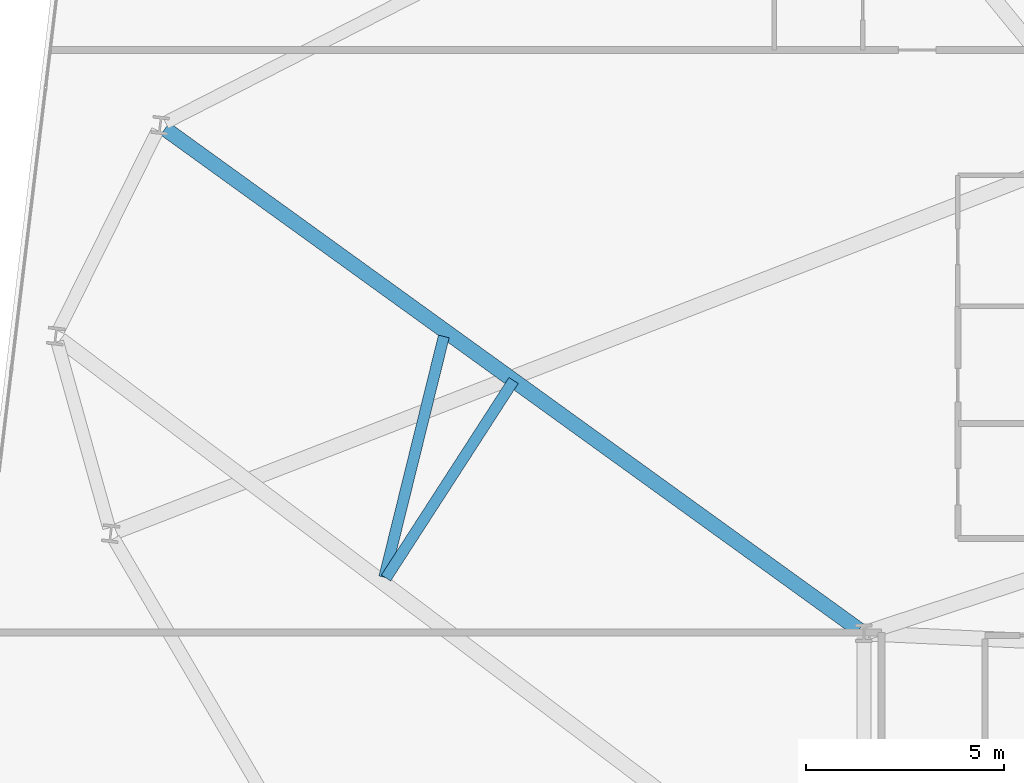
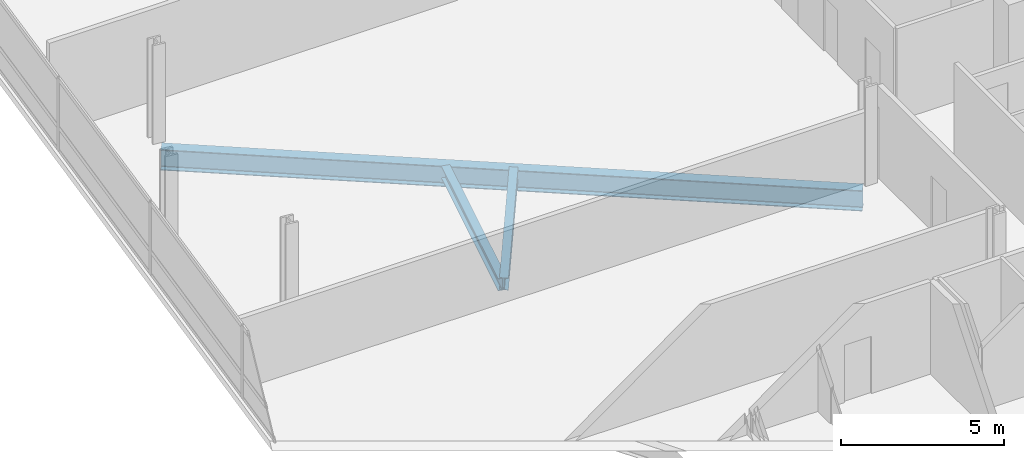
# One storey, part 9 of 26: 3 beams.
"""IFC4 building model written with IfcOpenShell, lengths in metres."""

from ifc_helpers import new_model, si_unit, direction, frame, origin, origin_2d, place, context, subcontext, project, spatial, i_section, extrude, material, material_profile, profile_set, type_object, element, save


model = new_model("IFC4")

# Units and contexts
model_context = context("Model", 3, precision=1e-05, world=origin(), true_north=direction((0.0, 1.0)))
body_context = subcontext(model_context, "Body", "Model", "MODEL_VIEW")
ifc_project = project(units=[si_unit("LENGTHUNIT", "METRE"), si_unit("AREAUNIT", "SQUARE_METRE"), si_unit("VOLUMEUNIT", "CUBIC_METRE"), si_unit("PLANEANGLEUNIT", "RADIAN"), si_unit("MASSUNIT", "GRAM", prefix="KILO")], contexts=[model_context])

# Site, building, storey
site_placement = place(None, origin())
site = spatial("IfcSite", under=ifc_project, at=site_placement, CompositionType="ELEMENT")
building_placement = place(site_placement, origin())
building = spatial("IfcBuilding", under=site, at=building_placement, Name="Varnelok Gate Tower", CompositionType="ELEMENT")
storey_placement = place(building_placement, frame((0.0, 0.0, 129.10009765625)))
storey = spatial("IfcBuildingStorey", under=building, at=storey_placement, Name="L32", CompositionType="ELEMENT", Elevation=129.10009765625)

# Beams
ifc_material = material(Name="Structural Steel ASTM A992 Grade 50", Category="steel")
ifc_material_profile_1 = material_profile(ifc_material, i_section(OverallWidth=0.280029296875, OverallDepth=0.462890625, WebThickness=0.0107421875, FlangeThickness=0.017333984375, FilletRadius=0.014892578125, at=origin_2d()), Name="W18X76")
ifc_profile_set_1 = profile_set([ifc_material_profile_1], Name="Structural Steel ASTM A992 Grade 50")
beam_type_1 = type_object("IfcBeamType", Name="BM-JST-W18X76", PredefinedType="JOIST", material=ifc_profile_set_1)
beam_1_placement = place(storey_placement, frame((13.779541015625, 34.187255859375, -0.481689453125), z_axis=(-0.239879686603, -0.970802624613, 0.0), x_axis=(0.970802624613, -0.239879686603, 0.0)))
element("IfcBeam", 1, at=beam_1_placement, inside=storey, type_object=beam_type_1, Name="L32 Sector Floor Joist 11", PredefinedType="JOIST", context=body_context, shape_type="SweptSolid", body=[
    extrude(i_section(OverallWidth=0.280029296875, OverallDepth=0.462890625, WebThickness=0.0107421875, FlangeThickness=0.017333984375, FilletRadius=0.014892578125, at=origin_2d()), origin(), (0.0, 0.0, 1.0), 6.2744140625),
])
beam_2_placement = place(storey_placement, frame((12.31689453125, 28.07763671875, -0.481689453125), z_axis=(0.542667262131, 0.839947761835, 0.0), x_axis=(-0.839947761835, 0.542667262131, 0.0)))
element("IfcBeam", 2, at=beam_2_placement, inside=storey, type_object=beam_type_1, Name="L32 Sector Floor Joist 12", PredefinedType="JOIST", context=body_context, shape_type="SweptSolid", body=[
    extrude(i_section(OverallWidth=0.280029296875, OverallDepth=0.462890625, WebThickness=0.0107421875, FlangeThickness=0.017333984375, FilletRadius=0.014892578125, at=origin_2d()), origin(), (0.0, 0.0, 1.0), 5.946533203125),
])
ifc_material_profile_2 = material_profile(ifc_material, i_section(OverallWidth=0.381103515625, OverallDepth=0.77294921875, WebThickness=0.0166015625, FlangeThickness=0.027099609375, FilletRadius=0.02197265625, at=origin_2d()), Name="W30X173")
ifc_profile_set_2 = profile_set([ifc_material_profile_2], Name="Structural Steel ASTM A992 Grade 50")
beam_type_2 = type_object("IfcBeamType", Name="BM-PRI-W30X173", PredefinedType="BEAM", material=ifc_profile_set_2)
beam_3_placement = place(storey_placement, frame((24.2783203125, 26.767822265625, -0.63671875), z_axis=(-0.810778258155, 0.585353411286, 0.0), x_axis=(-0.585353411286, -0.810778258155, 0.0)))
element("IfcBeam", 3, at=beam_3_placement, inside=storey, type_object=beam_type_2, Name="L32 Radial Floor Girder 14", PredefinedType="BEAM", context=body_context, shape_type="SweptSolid", body=[
    extrude(i_section(OverallWidth=0.381103515625, OverallDepth=0.77294921875, WebThickness=0.0166015625, FlangeThickness=0.027099609375, FilletRadius=0.02197265625, at=origin_2d()), origin(), (0.0, 0.0, 1.0), 21.645263671875),
])

save(model, "model.ifc")
